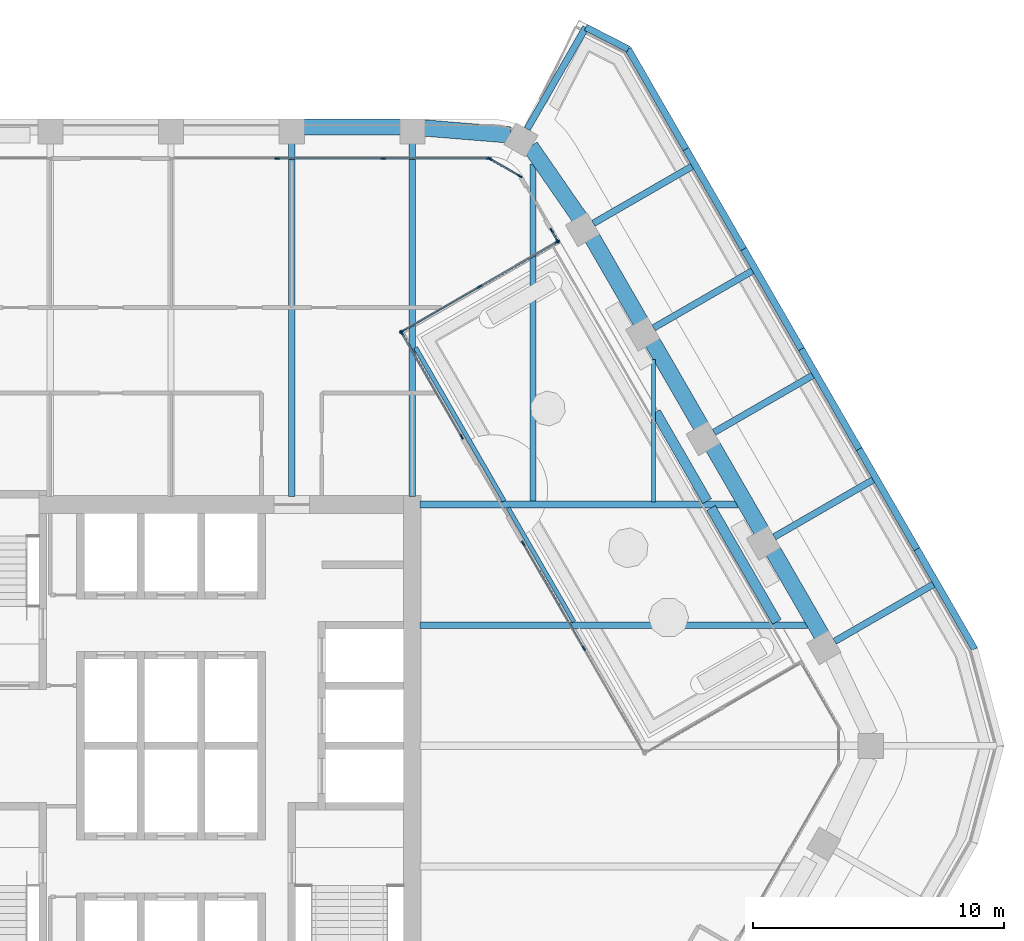
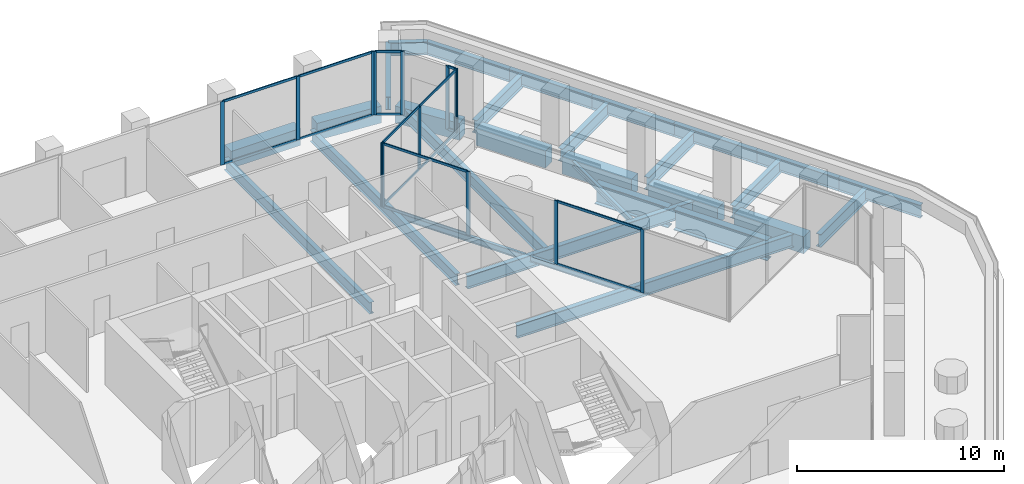
# One storey, part 7 of 17: 30 beams, 30 members, 6 elements without a shape of their own.
"""IFC4 building model written with IfcOpenShell, lengths in metres."""

from ifc_helpers import new_model, si_unit, direction, frame, origin, origin_2d, place, context, subcontext, project, spatial, rectangle, i_section, extrude, material, material_profile, profile_set, type_object, element, aggregate, save


model = new_model("IFC4")

# Units and contexts
model_context = context("Model", 3, precision=1e-05, world=origin(), true_north=direction((0.0, 1.0)))
body_context = subcontext(model_context, "Body", "Model", "MODEL_VIEW")
ifc_project = project(units=[si_unit("LENGTHUNIT", "METRE"), si_unit("AREAUNIT", "SQUARE_METRE"), si_unit("VOLUMEUNIT", "CUBIC_METRE"), si_unit("PLANEANGLEUNIT", "RADIAN"), si_unit("MASSUNIT", "GRAM", prefix="KILO")], contexts=[model_context])

# Site, building, storey
site_placement = place(None, origin())
site = spatial("IfcSite", under=ifc_project, at=site_placement, CompositionType="ELEMENT")
building_placement = place(site_placement, origin())
building = spatial("IfcBuilding", under=site, at=building_placement, Name="Kolab Exchange Tower", CompositionType="ELEMENT")
storey_placement = place(building_placement, frame((0.0, 0.0, 181.699951171875)))
storey = spatial("IfcBuildingStorey", under=building, at=storey_placement, Name="L38", CompositionType="ELEMENT", Elevation=181.699951171875)

# Beams
ifc_material_1 = material(Name="Steel S355", Category="steel")
ifc_material_profile_1 = material_profile(ifc_material_1, i_section(OverallWidth=0.39990234375, OverallDepth=1.199951171875, WebThickness=0.02490234375, FlangeThickness=0.0400390625, at=origin_2d()), Name="PG1200X400")
ifc_profile_set_1 = profile_set([ifc_material_profile_1], Name="Steel S355")
beam_type_1 = type_object("IfcBeamType", Name="FLOOR BEAM PG1200X400", PredefinedType="BEAM", material=ifc_profile_set_1)
beam_1_placement = place(storey_placement, frame((19.282470703125, 13.27490234375, -0.75), z_axis=(0.499998074415, -0.866026515518, 0.0), x_axis=(0.866026515518, 0.499998074415, 0.0)))
element("IfcBeam", 1, at=beam_1_placement, inside=storey, type_object=beam_type_1, Name="beam/L38/fr/027", PredefinedType="BEAM", context=body_context, shape_type="SweptSolid", body=[
    extrude(i_section(OverallWidth=0.39990234375, OverallDepth=1.199951171875, WebThickness=0.02490234375, FlangeThickness=0.0400390625, at=origin_2d()), origin(), (0.0, 0.0, 1.0), 4.08935546875),
])
beam_2_placement = place(storey_placement, frame((21.481201171875, 9.466552734375, -0.75), z_axis=(0.500011808253, -0.866018586179, 0.0), x_axis=(0.866018586179, 0.500011808253, 0.0)))
element("IfcBeam", 2, at=beam_2_placement, inside=storey, type_object=beam_type_1, Name="beam/L38/fr/028", PredefinedType="BEAM", context=body_context, shape_type="SweptSolid", body=[
    extrude(i_section(OverallWidth=0.39990234375, OverallDepth=1.199951171875, WebThickness=0.02490234375, FlangeThickness=0.0400390625, at=origin_2d()), origin(), (0.0, 0.0, 1.0), 5.234130859375),
])
ifc_material_profile_2 = material_profile(ifc_material_1, i_section(OverallWidth=0.1650390625, OverallDepth=0.31005859375, WebThickness=0.005859375, FlangeThickness=0.009765625, at=origin_2d()), Name="W310X39")
ifc_profile_set_2 = profile_set([ifc_material_profile_2], Name="Steel S355")
beam_type_2 = type_object("IfcBeamType", Name="FLOOR BEAM W310X39", PredefinedType="BEAM", material=ifc_profile_set_2)
beam_3_placement = place(storey_placement, frame((13.409912109375, 9.466552734375, -0.304931640625), z_axis=(0.500011808253, -0.866018586179, 0.0), x_axis=(0.866018586179, 0.500011808253, 0.0)))
element("IfcBeam", 3, at=beam_3_placement, inside=storey, type_object=beam_type_2, Name="beam/L38/fr/021", PredefinedType="BEAM", context=body_context, shape_type="SweptSolid", body=[
    extrude(i_section(OverallWidth=0.1650390625, OverallDepth=0.31005859375, WebThickness=0.005859375, FlangeThickness=0.009765625, at=origin_2d()), origin(), (0.0, 0.0, 1.0), 5.234130859375),
])
beam_4_placement = place(storey_placement, frame((19.199951171875, 9.693603515625, -0.304931640625), z_axis=(0.0, 1.0, 0.0), x_axis=(-1.0, 0.0, 0.0)))
element("IfcBeam", 4, at=beam_4_placement, inside=storey, type_object=beam_type_2, Name="beam/L38/fr/026", PredefinedType="BEAM", context=body_context, shape_type="SweptSolid", body=[
    extrude(i_section(OverallWidth=0.1650390625, OverallDepth=0.31005859375, WebThickness=0.005859375, FlangeThickness=0.009765625, at=origin_2d()), origin(), (0.0, 0.0, 1.0), 5.674072265625),
])
ifc_material_profile_3 = material_profile(ifc_material_1, i_section(OverallWidth=0.1708984375, OverallDepth=0.35498046875, WebThickness=0.007080078125, FlangeThickness=0.01171875, at=origin_2d()), Name="W360X51")
ifc_profile_set_3 = profile_set([ifc_material_profile_3], Name="Steel S355")
beam_type_3 = type_object("IfcBeamType", Name="FLOOR BEAM W360X51", PredefinedType="BEAM", material=ifc_profile_set_3)
beam_5_placement = place(storey_placement, frame((9.72705078125, 15.845458984375, -0.327392578125), z_axis=(0.499974989216, -0.866039843286, 0.0), x_axis=(0.866039843286, 0.499974989216, 0.0)))
element("IfcBeam", 5, at=beam_5_placement, inside=storey, type_object=beam_type_3, Name="beam/L38/fr/017", PredefinedType="BEAM", context=body_context, shape_type="SweptSolid", body=[
    extrude(i_section(OverallWidth=0.1708984375, OverallDepth=0.35498046875, WebThickness=0.007080078125, FlangeThickness=0.01171875, at=origin_2d()), origin(), (0.0, 0.0, 1.0), 7.057373046875),
])
ifc_material_profile_4 = material_profile(ifc_material_1, i_section(OverallWidth=0.25390625, OverallDepth=0.68408203125, WebThickness=0.012451171875, FlangeThickness=0.018798828125, at=origin_2d()), Name="W690X140")
ifc_profile_set_4 = profile_set([ifc_material_profile_4], Name="Steel S355")
beam_type_4 = type_object("IfcBeamType", Name="FLOOR BEAM W690X140", PredefinedType="BEAM", material=ifc_profile_set_4)
for number, where, z_axis, x_axis, name in (
    (6, (4.800048828125, 9.909912109375, -0.491943359375), (0.0, 1.0, 0.0), (-1.0, 0.0, 0.0), "beam/L38/fr/014"),
    (7, (9.60009765625, 9.909912109375, -0.491943359375), (0.0, 1.0, 0.0), (-1.0, 0.0, 0.0), "beam/L38/fr/016"),
):
    element("IfcBeam", number, at=place(storey_placement, frame(where, z_axis=z_axis, x_axis=x_axis)), inside=storey, type_object=beam_type_4, Name=name, PredefinedType="BEAM", context=body_context, shape_type="SweptSolid", body=[
        extrude(i_section(OverallWidth=0.25390625, OverallDepth=0.68408203125, WebThickness=0.012451171875, FlangeThickness=0.018798828125, at=origin_2d()), origin(), (0.0, 0.0, 1.0), 14.071533203125),
    ])
beam_6_placement = place(storey_placement, frame((14.39990234375, 9.693603515625, -0.491943359375), z_axis=(0.0, 1.0, 0.0), x_axis=(-1.0, 0.0, 0.0)))
element("IfcBeam", 8, at=beam_6_placement, inside=storey, type_object=beam_type_4, Name="beam/L38/fr/023", PredefinedType="BEAM", context=body_context, shape_type="SweptSolid", body=[
    extrude(i_section(OverallWidth=0.25390625, OverallDepth=0.68408203125, WebThickness=0.012451171875, FlangeThickness=0.018798828125, at=origin_2d()), origin(), (0.0, 0.0, 1.0), 13.462158203125),
])
ifc_material_profile_5 = material_profile(ifc_material_1, i_section(OverallWidth=0.26708984375, OverallDepth=0.761962890625, WebThickness=0.014404296875, FlangeThickness=0.021484375, at=origin_2d()), Name="W760X173")
ifc_profile_set_5 = profile_set([ifc_material_profile_5], Name="Steel S355")
beam_type_5 = type_object("IfcBeamType", Name="FLOOR BEAM W760X173", PredefinedType="BEAM", material=ifc_profile_set_5)
beam_7_placement = place(storey_placement, frame((9.909912109375, 4.800048828125, -0.531005859375), z_axis=(1.0, 0.0, 0.0), x_axis=(0.0, 1.0, 0.0)))
element("IfcBeam", 9, at=beam_7_placement, inside=storey, type_object=beam_type_5, Name="beam/L38/fr/020", PredefinedType="BEAM", context=body_context, shape_type="SweptSolid", body=[
    extrude(i_section(OverallWidth=0.26708984375, OverallDepth=0.761962890625, WebThickness=0.014404296875, FlangeThickness=0.021484375, at=origin_2d()), origin(), (0.0, 0.0, 1.0), 15.408203125),
])
ifc_material_profile_6 = material_profile(ifc_material_1, i_section(OverallWidth=0.26708984375, OverallDepth=0.761962890625, WebThickness=0.014404296875, FlangeThickness=0.021484375, at=origin_2d()), Name="W760X173")
ifc_profile_set_6 = profile_set([ifc_material_profile_6], Name="Steel S355")
beam_type_6 = type_object("IfcBeamType", Name="FLOOR GIRDER W760X173", PredefinedType="BEAM", material=ifc_profile_set_6)
beam_8_placement = place(storey_placement, frame((9.909912109375, 9.60009765625, -0.531005859375), z_axis=(1.0, 0.0, 0.0), x_axis=(0.0, 1.0, 0.0)))
element("IfcBeam", 10, at=beam_8_placement, inside=storey, type_object=beam_type_6, Name="beam/L38/gd/003", PredefinedType="BEAM", context=body_context, shape_type="SweptSolid", body=[
    extrude(i_section(OverallWidth=0.26708984375, OverallDepth=0.761962890625, WebThickness=0.014404296875, FlangeThickness=0.021484375, at=origin_2d()), origin(), (0.0, 0.0, 1.0), 12.636962890625),
])
beam_9_placement = place(storey_placement, frame((14.16796875, 24.53955078125, -0.591064453125), z_axis=(0.500004747635, 0.866022662719, 0.0), x_axis=(-0.866022662719, 0.500004747635, 0.0)))
element("IfcBeam", 11, at=beam_9_placement, inside=storey, type_object=beam_type_6, Name="beam/L38/ledge/rib-00", PredefinedType="BEAM", context=body_context, shape_type="SweptSolid", body=[
    extrude(i_section(OverallWidth=0.26708984375, OverallDepth=0.761962890625, WebThickness=0.014404296875, FlangeThickness=0.021484375, at=origin_2d()), origin(), (0.0, 0.0, 1.0), 4.66650390625),
])
beam_10_placement = place(storey_placement, frame((16.800048828125, 20.78466796875, -0.591064453125), z_axis=(0.866030417568, 0.499991315771, 0.0), x_axis=(-0.499991315771, 0.866030417568, 0.0)))
element("IfcBeam", 12, at=beam_10_placement, inside=storey, type_object=beam_type_6, Name="beam/L38/ledge/rib-01", PredefinedType="BEAM", context=body_context, shape_type="SweptSolid", body=[
    extrude(i_section(OverallWidth=0.26708984375, OverallDepth=0.761962890625, WebThickness=0.014404296875, FlangeThickness=0.021484375, at=origin_2d()), origin(), (0.0, 0.0, 1.0), 4.53271484375),
])
beam_11_placement = place(storey_placement, frame((19.199951171875, 16.627685546875, -0.591064453125), z_axis=(0.866020560687, 0.500008388397, 0.0), x_axis=(-0.500008388397, 0.866020560687, 0.0)))
element("IfcBeam", 13, at=beam_11_placement, inside=storey, type_object=beam_type_6, Name="beam/L38/ledge/rib-02", PredefinedType="BEAM", context=body_context, shape_type="SweptSolid", body=[
    extrude(i_section(OverallWidth=0.26708984375, OverallDepth=0.761962890625, WebThickness=0.014404296875, FlangeThickness=0.021484375, at=origin_2d()), origin(), (0.0, 0.0, 1.0), 4.533203125),
])
beam_12_placement = place(storey_placement, frame((21.60009765625, 12.470703125, -0.591064453125), z_axis=(0.866007095043, 0.500031710329, 0.0), x_axis=(-0.500031710329, 0.866007095043, 0.0)))
element("IfcBeam", 14, at=beam_12_placement, inside=storey, type_object=beam_type_6, Name="beam/L38/ledge/rib-03", PredefinedType="BEAM", context=body_context, shape_type="SweptSolid", body=[
    extrude(i_section(OverallWidth=0.26708984375, OverallDepth=0.761962890625, WebThickness=0.014404296875, FlangeThickness=0.021484375, at=origin_2d()), origin(), (0.0, 0.0, 1.0), 4.532958984375),
])
beam_13_placement = place(storey_placement, frame((24.0, 8.313720703125, -0.591064453125), z_axis=(0.866020560687, 0.500008388397, 0.0), x_axis=(-0.500008388397, 0.866020560687, 0.0)))
element("IfcBeam", 15, at=beam_13_placement, inside=storey, type_object=beam_type_6, Name="beam/L38/ledge/rib-04", PredefinedType="BEAM", context=body_context, shape_type="SweptSolid", body=[
    extrude(i_section(OverallWidth=0.26708984375, OverallDepth=0.761962890625, WebThickness=0.014404296875, FlangeThickness=0.021484375, at=origin_2d()), origin(), (0.0, 0.0, 1.0), 4.533203125),
])
beam_14_placement = place(storey_placement, frame((26.39990234375, 4.156982421875, -0.591064453125), z_axis=(0.866043881399, 0.499967994467, 0.0), x_axis=(-0.499967994467, 0.866043881399, 0.0)))
element("IfcBeam", 16, at=beam_14_placement, inside=storey, type_object=beam_type_6, Name="beam/L38/ledge/rib-05", PredefinedType="BEAM", context=body_context, shape_type="SweptSolid", body=[
    extrude(i_section(OverallWidth=0.26708984375, OverallDepth=0.761962890625, WebThickness=0.014404296875, FlangeThickness=0.021484375, at=origin_2d()), origin(), (0.0, 0.0, 1.0), 4.532958984375),
])
beam_15_placement = place(storey_placement, frame((16.501220703125, 28.5810546875, -0.591064453125), z_axis=(0.889971862799, -0.456015442092, 0.0), x_axis=(0.456015442092, 0.889971862799, 0.0)))
element("IfcBeam", 17, at=beam_15_placement, inside=storey, type_object=beam_type_6, Name="beam/L38/ledge/edge-00", PredefinedType="BEAM", context=body_context, shape_type="SweptSolid", body=[
    extrude(i_section(OverallWidth=0.26708984375, OverallDepth=0.761962890625, WebThickness=0.014404296875, FlangeThickness=0.021484375, at=origin_2d()), origin(), (0.0, 0.0, 1.0), 1.892578125),
])
beam_16_placement = place(storey_placement, frame((18.185546875, 27.718017578125, -0.591064453125), z_axis=(0.500003083703, -0.8660236234, 0.0), x_axis=(0.8660236234, 0.500003083703, 0.0)))
element("IfcBeam", 18, at=beam_16_placement, inside=storey, type_object=beam_type_6, Name="beam/L38/ledge/edge-01", PredefinedType="BEAM", context=body_context, shape_type="SweptSolid", body=[
    extrude(i_section(OverallWidth=0.26708984375, OverallDepth=0.761962890625, WebThickness=0.014404296875, FlangeThickness=0.021484375, at=origin_2d()), origin(), (0.0, 0.0, 1.0), 4.59375),
])
beam_17_placement = place(storey_placement, frame((20.482421875, 23.73974609375, -0.591064453125), z_axis=(0.499963222339, -0.866046636336, 0.0), x_axis=(0.866046636336, 0.499963222339, 0.0)))
element("IfcBeam", 19, at=beam_17_placement, inside=storey, type_object=beam_type_6, Name="beam/L38/ledge/edge-02", PredefinedType="BEAM", context=body_context, shape_type="SweptSolid", body=[
    extrude(i_section(OverallWidth=0.26708984375, OverallDepth=0.761962890625, WebThickness=0.014404296875, FlangeThickness=0.021484375, at=origin_2d()), origin(), (0.0, 0.0, 1.0), 4.593505859375),
])
for number, where, z_axis, x_axis, name in (
    (20, (22.779052734375, 19.761474609375, -0.591064453125), (0.500003083703, -0.8660236234, 0.0), (0.8660236234, 0.500003083703, 0.0), "beam/L38/ledge/edge-03"),
    (21, (25.075927734375, 15.783203125, -0.591064453125), (0.500003083703, -0.8660236234, 0.0), (0.8660236234, 0.500003083703, 0.0), "beam/L38/ledge/edge-04"),
    (22, (27.372802734375, 11.804931640625, -0.591064453125), (0.500003083703, -0.8660236234, 0.0), (0.8660236234, 0.500003083703, 0.0), "beam/L38/ledge/edge-05"),
    (23, (29.669677734375, 7.82666015625, -0.591064453125), (0.500003083703, -0.8660236234, 0.0), (0.8660236234, 0.500003083703, 0.0), "beam/L38/ledge/edge-06"),
):
    element("IfcBeam", number, at=place(storey_placement, frame(where, z_axis=z_axis, x_axis=x_axis)), inside=storey, type_object=beam_type_6, Name=name, PredefinedType="BEAM", context=body_context, shape_type="SweptSolid", body=[
        extrude(i_section(OverallWidth=0.26708984375, OverallDepth=0.761962890625, WebThickness=0.014404296875, FlangeThickness=0.021484375, at=origin_2d()), origin(), (0.0, 0.0, 1.0), 4.59375),
    ])
ifc_material_2 = material(Name="Concrete C60/75", Category="concrete")
ifc_material_profile_7 = material_profile(ifc_material_2, rectangle(XDim=0.64990234375, YDim=1.0, at=origin_2d()), Name="RC650X1000")
ifc_profile_set_7 = profile_set([ifc_material_profile_7], Name="Concrete C60/75")
beam_type_7 = type_object("IfcBeamType", Name="SPANDREL BEAM 650X1000 C60/75", PredefinedType="BEAM", material=ifc_profile_set_7)
beam_18_placement = place(storey_placement, frame((5.260009765625, 24.616455078125, -0.64990234375), z_axis=(1.0, 0.0, 0.0), x_axis=(0.0, 1.0, 0.0)))
element("IfcBeam", 24, at=beam_18_placement, inside=storey, type_object=beam_type_7, Name="beam/L38/sp/F1-05", PredefinedType="BEAM", context=body_context, shape_type="SweptSolid", body=[
    extrude(rectangle(XDim=0.64990234375, YDim=1.0, at=origin_2d()), origin(), (0.0, 0.0, 1.0), 3.8798828125),
])
for number, where, z_axis, x_axis, name in (
    (25, (10.06005859375, 24.5791015625, -0.64990234375), (0.996708497182, -0.081068931445, 0.0), (0.081068931445, 0.996708497182, 0.0), "beam/L38/sp/F1-06"),
    (26, (14.29736328125, 23.8359375, -0.64990234375), (0.568572281073, -0.822633309073, 0.0), (0.822633309073, 0.568572281073, 0.0), "beam/L38/sp/F2-01"),
):
    element("IfcBeam", number, at=place(storey_placement, frame(where, z_axis=z_axis, x_axis=x_axis)), inside=storey, type_object=beam_type_7, Name=name, PredefinedType="BEAM", context=body_context, shape_type="SweptSolid", body=[
        extrude(rectangle(XDim=0.64990234375, YDim=1.0, at=origin_2d()), origin(), (0.0, 0.0, 1.0), 3.445068359375),
    ])
beam_19_placement = place(storey_placement, frame((16.74853515625, 20.2236328125, -0.64990234375), z_axis=(0.499996613652, -0.866027358884, 0.0), x_axis=(0.866027358884, 0.499996613652, 0.0)))
element("IfcBeam", 27, at=beam_19_placement, inside=storey, type_object=beam_type_7, Name="beam/L38/sp/F2-02", PredefinedType="BEAM", context=body_context, shape_type="SweptSolid", body=[
    extrude(rectangle(XDim=0.64990234375, YDim=1.0, at=origin_2d()), origin(), (0.0, 0.0, 1.0), 3.8798828125),
])
beam_20_placement = place(storey_placement, frame((19.1484375, 16.06689453125, -0.64990234375), z_axis=(0.50001655835, -0.866015843605, 0.0), x_axis=(0.866015843605, 0.50001655835, 0.0)))
element("IfcBeam", 28, at=beam_20_placement, inside=storey, type_object=beam_type_7, Name="beam/L38/sp/F2-03", PredefinedType="BEAM", context=body_context, shape_type="SweptSolid", body=[
    extrude(rectangle(XDim=0.64990234375, YDim=1.0, at=origin_2d()), origin(), (0.0, 0.0, 1.0), 3.880126953125),
])
for number, where, z_axis, x_axis, name in (
    (29, (21.548583984375, 11.909912109375, -0.64990234375), (0.499996613652, -0.866027358884, 0.0), (0.866027358884, 0.499996613652, 0.0), "beam/L38/sp/F2-04"),
    (30, (23.948486328125, 7.7529296875, -0.64990234375), (0.499996613652, -0.866027358884, 0.0), (0.866027358884, 0.499996613652, 0.0), "beam/L38/sp/F2-05"),
):
    element("IfcBeam", number, at=place(storey_placement, frame(where, z_axis=z_axis, x_axis=x_axis)), inside=storey, type_object=beam_type_7, Name=name, PredefinedType="BEAM", context=body_context, shape_type="SweptSolid", body=[
        extrude(rectangle(XDim=0.64990234375, YDim=1.0, at=origin_2d()), origin(), (0.0, 0.0, 1.0), 3.8798828125),
    ])

# Curtain wall, members
ifc_material_3 = material(Name="Aluminium EN AW-6063 T6", Category="aluminium")
curtain_wall_type = type_object("IfcCurtainWallType", Name="UNITISED UPPER MID ZONE CURTAIN WALL", PredefinedType="NOTDEFINED", material=ifc_material_3)
curtain_wall_1_placement = place(storey_placement, origin())
curtain_wall_1 = element("IfcCurtainWall", 31, at=curtain_wall_1_placement, inside=storey, type_object=curtain_wall_type, Name="cw/L38/F1-2", PredefinedType="NOTDEFINED")
ifc_material_profile_8 = material_profile(ifc_material_3, rectangle(XDim=0.06005859375, YDim=0.199951171875, at=origin_2d()), Name="RECT 60X200")
ifc_profile_set_8 = profile_set([ifc_material_profile_8], Name="Aluminium EN AW-6063 T6")
member_type_1 = type_object("IfcMemberType", Name="UNITISED UPPER MID ZONE MULLION 60 X 200", PredefinedType="MULLION", material=ifc_profile_set_8)
member_1_placement = place(storey_placement, frame((4.22265625, 23.361572265625, 0.0), z_axis=(0.0, 0.0, 1.0), x_axis=(0.0, 1.0, 0.0)))
member_1 = element("IfcMember", 32, at=member_1_placement, type_object=member_type_1, Name="CW3 mullion 2", PredefinedType="MULLION", context=body_context, shape_type="SweptSolid", body=[
    extrude(rectangle(XDim=0.06005859375, YDim=0.199951171875, at=origin_2d()), origin(), (0.0, 0.0, 1.0), 3.75),
])
member_2_placement = place(storey_placement, frame((8.4453125, 23.361572265625, 0.0), z_axis=(0.0, 0.0, 1.0), x_axis=(0.0, 1.0, 0.0)))
member_2 = element("IfcMember", 33, at=member_2_placement, type_object=member_type_1, Name="CW3 mullion 3", PredefinedType="MULLION", context=body_context, shape_type="SweptSolid", body=[
    extrude(rectangle(XDim=0.06005859375, YDim=0.199951171875, at=origin_2d()), origin(), (0.0, 0.0, 1.0), 3.75),
])
member_3_placement = place(storey_placement, frame((12.637939453125, 23.361572265625, 0.0), z_axis=(0.0, 0.0, 1.0), x_axis=(0.0, 1.0, 0.0)))
member_3 = element("IfcMember", 34, at=member_3_placement, type_object=member_type_1, Name="CW3 mullion 4", PredefinedType="MULLION", context=body_context, shape_type="SweptSolid", body=[
    extrude(rectangle(XDim=0.06005859375, YDim=0.199951171875, at=origin_2d()), origin(), (0.0, 0.0, 1.0), 3.75),
])

curtain_wall_2_placement = place(storey_placement, origin())
curtain_wall_2 = element("IfcCurtainWall", 35, at=curtain_wall_2_placement, inside=storey, type_object=curtain_wall_type, Name="cw/L38/F2-l-1", PredefinedType="NOTDEFINED")
member_4_placement = place(storey_placement, frame((15.142822265625, 20.4951171875, 0.0), z_axis=(0.0, 0.0, 1.0), x_axis=(0.866025350788, 0.500000091793, 0.0)))
member_4 = element("IfcMember", 36, at=member_4_placement, type_object=member_type_1, Name="CW3 mullion 1", PredefinedType="MULLION", context=body_context, shape_type="SweptSolid", body=[
    extrude(rectangle(XDim=0.06005859375, YDim=0.199951171875, at=origin_2d()), origin(), (0.0, 0.0, 1.0), 3.75),
])
member_5_placement = place(storey_placement, frame((15.376708984375, 20.08984375, 0.0), z_axis=(0.0, 0.0, 1.0), x_axis=(0.866025350788, 0.500000091793, 0.0)))
member_5 = element("IfcMember", 37, at=member_5_placement, type_object=member_type_1, Name="CW3 mullion 2", PredefinedType="MULLION", context=body_context, shape_type="SweptSolid", body=[
    extrude(rectangle(XDim=0.06005859375, YDim=0.199951171875, at=origin_2d()), origin(), (0.0, 0.0, 1.0), 3.75),
])

curtain_wall_3_placement = place(storey_placement, origin())
curtain_wall_3 = element("IfcCurtainWall", 38, at=curtain_wall_3_placement, inside=storey, type_object=curtain_wall_type, Name="cw/L38/F2-rl-1", PredefinedType="NOTDEFINED")
member_6_placement = place(storey_placement, frame((15.36572265625, 20.048828125, 0.0), z_axis=(0.0, 0.0, 1.0), x_axis=(0.499999994423, -0.866025407005, 0.0)))
member_6 = element("IfcMember", 39, at=member_6_placement, type_object=member_type_1, Name="CW3 mullion 1", PredefinedType="MULLION", context=body_context, shape_type="SweptSolid", body=[
    extrude(rectangle(XDim=0.06005859375, YDim=0.199951171875, at=origin_2d()), origin(), (0.0, 0.0, 1.0), 3.75),
])
member_7_placement = place(storey_placement, frame((12.27392578125, 18.263916015625, 0.0), z_axis=(0.0, 0.0, 1.0), x_axis=(0.499999994423, -0.866025407005, 0.0)))
member_7 = element("IfcMember", 40, at=member_7_placement, type_object=member_type_1, Name="CW3 mullion 2", PredefinedType="MULLION", context=body_context, shape_type="SweptSolid", body=[
    extrude(rectangle(XDim=0.06005859375, YDim=0.199951171875, at=origin_2d()), origin(), (0.0, 0.0, 1.0), 3.75),
])
member_8_placement = place(storey_placement, frame((9.182373046875, 16.47900390625, 0.0), z_axis=(0.0, 0.0, 1.0), x_axis=(0.499999994423, -0.866025407005, 0.0)))
member_8 = element("IfcMember", 41, at=member_8_placement, type_object=member_type_1, Name="CW3 mullion 3", PredefinedType="MULLION", context=body_context, shape_type="SweptSolid", body=[
    extrude(rectangle(XDim=0.06005859375, YDim=0.199951171875, at=origin_2d()), origin(), (0.0, 0.0, 1.0), 3.75),
])

curtain_wall_4_placement = place(storey_placement, origin())
curtain_wall_4 = element("IfcCurtainWall", 42, at=curtain_wall_4_placement, inside=storey, type_object=curtain_wall_type, Name="cw/L38/F2-back-1", PredefinedType="NOTDEFINED")
member_9_placement = place(storey_placement, frame((9.17138671875, 16.43798828125, 0.0), z_axis=(0.0, 0.0, 1.0), x_axis=(0.866025406141, 0.499999995919, 0.0)))
member_9 = element("IfcMember", 43, at=member_9_placement, type_object=member_type_1, Name="CW3 mullion 1", PredefinedType="MULLION", context=body_context, shape_type="SweptSolid", body=[
    extrude(rectangle(XDim=0.06005859375, YDim=0.199951171875, at=origin_2d()), origin(), (0.0, 0.0, 1.0), 3.75),
])
member_10_placement = place(storey_placement, frame((11.561279296875, 12.29833984375, 0.0), z_axis=(0.0, 0.0, 1.0), x_axis=(0.866025406141, 0.499999995919, 0.0)))
member_10 = element("IfcMember", 44, at=member_10_placement, type_object=member_type_1, Name="CW3 mullion 2", PredefinedType="MULLION", context=body_context, shape_type="SweptSolid", body=[
    extrude(rectangle(XDim=0.06005859375, YDim=0.199951171875, at=origin_2d()), origin(), (0.0, 0.0, 1.0), 3.75),
])

curtain_wall_5_placement = place(storey_placement, origin())
curtain_wall_5 = element("IfcCurtainWall", 45, at=curtain_wall_5_placement, inside=storey, type_object=curtain_wall_type, Name="cw/L38/F2-back-2", PredefinedType="NOTDEFINED")
member_11_placement = place(storey_placement, frame((14.01123046875, 8.0546875, 0.0), z_axis=(0.0, 0.0, 1.0), x_axis=(0.866025406141, 0.499999995919, 0.0)))
member_11 = element("IfcMember", 46, at=member_11_placement, type_object=member_type_1, Name="CW3 mullion 1", PredefinedType="MULLION", context=body_context, shape_type="SweptSolid", body=[
    extrude(rectangle(XDim=0.06005859375, YDim=0.199951171875, at=origin_2d()), origin(), (0.0, 0.0, 1.0), 3.75),
])
member_12_placement = place(storey_placement, frame((16.416259765625, 3.88916015625, 0.0), z_axis=(0.0, 0.0, 1.0), x_axis=(0.866025406141, 0.499999995919, 0.0)))
member_12 = element("IfcMember", 47, at=member_12_placement, type_object=member_type_1, Name="CW3 mullion 2", PredefinedType="MULLION", context=body_context, shape_type="SweptSolid", body=[
    extrude(rectangle(XDim=0.06005859375, YDim=0.199951171875, at=origin_2d()), origin(), (0.0, 0.0, 1.0), 3.75),
])

curtain_wall_6_placement = place(storey_placement, origin())
curtain_wall_6 = element("IfcCurtainWall", 48, at=curtain_wall_6_placement, inside=storey, type_object=curtain_wall_type, Name="cw/L38/F1F2-corner", PredefinedType="NOTDEFINED")
member_13_placement = place(storey_placement, frame((12.69384765625, 23.346435546875, 0.0), z_axis=(0.0, 0.0, 1.0), x_axis=(0.50000002237, 0.866025390869, 0.0)))
member_13 = element("IfcMember", 49, at=member_13_placement, type_object=member_type_1, Name="CW3 mullion 1", PredefinedType="MULLION", context=body_context, shape_type="SweptSolid", body=[
    extrude(rectangle(XDim=0.06005859375, YDim=0.199951171875, at=origin_2d()), origin(), (0.0, 0.0, 1.0), 3.75),
])
member_14_placement = place(storey_placement, frame((13.871826171875, 22.66650390625, 0.0), z_axis=(0.0, 0.0, 1.0), x_axis=(0.50000002237, 0.866025390869, 0.0)))
member_14 = element("IfcMember", 50, at=member_14_placement, type_object=member_type_1, Name="CW3 mullion 2", PredefinedType="MULLION", context=body_context, shape_type="SweptSolid", body=[
    extrude(rectangle(XDim=0.06005859375, YDim=0.199951171875, at=origin_2d()), origin(), (0.0, 0.0, 1.0), 3.75),
])

# Member
ifc_material_profile_9 = material_profile(ifc_material_3, rectangle(XDim=0.06005859375, YDim=0.139892578125, at=origin_2d()), Name="RECT 60X140")
ifc_profile_set_9 = profile_set([ifc_material_profile_9], Name="Aluminium EN AW-6063 T6")
member_type_2 = type_object("IfcMemberType", Name="UNITISED UPPER MID ZONE TRANSOM 60 X 140", PredefinedType="USERDEFINED", material=ifc_profile_set_9)
member_15_placement = place(storey_placement, frame((4.252685546875, 23.361572265625, 0.030029296875), z_axis=(1.0, 0.0, 0.0), x_axis=(0.0, 1.0, 0.0)))
member_15 = element("IfcMember", 51, at=member_15_placement, type_object=member_type_2, Name="CW3 transom 2.1", ObjectType="TRANSOM", PredefinedType="USERDEFINED", context=body_context, shape_type="SweptSolid", body=[
    extrude(rectangle(XDim=0.06005859375, YDim=0.139892578125, at=origin_2d()), origin(), (0.0, 0.0, 1.0), 4.16259765625),
])

member_16_placement = place(storey_placement, frame((4.252685546875, 23.361572265625, 3.719970703125), z_axis=(1.0, 0.0, 0.0), x_axis=(0.0, 1.0, 0.0)))
member_16 = element("IfcMember", 52, at=member_16_placement, type_object=member_type_2, Name="CW3 transom 2.2", ObjectType="TRANSOM", PredefinedType="USERDEFINED", context=body_context, shape_type="SweptSolid", body=[
    extrude(rectangle(XDim=0.06005859375, YDim=0.139892578125, at=origin_2d()), origin(), (0.0, 0.0, 1.0), 4.16259765625),
])

member_17_placement = place(storey_placement, frame((8.475341796875, 23.361572265625, 0.030029296875), z_axis=(1.0, 0.0, 0.0), x_axis=(0.0, 1.0, 0.0)))
member_17 = element("IfcMember", 53, at=member_17_placement, type_object=member_type_2, Name="CW3 transom 3.1", ObjectType="TRANSOM", PredefinedType="USERDEFINED", context=body_context, shape_type="SweptSolid", body=[
    extrude(rectangle(XDim=0.06005859375, YDim=0.139892578125, at=origin_2d()), origin(), (0.0, 0.0, 1.0), 4.132568359375),
])

member_18_placement = place(storey_placement, frame((8.475341796875, 23.361572265625, 3.719970703125), z_axis=(1.0, 0.0, 0.0), x_axis=(0.0, 1.0, 0.0)))
member_18 = element("IfcMember", 54, at=member_18_placement, type_object=member_type_2, Name="CW3 transom 3.2", ObjectType="TRANSOM", PredefinedType="USERDEFINED", context=body_context, shape_type="SweptSolid", body=[
    extrude(rectangle(XDim=0.06005859375, YDim=0.139892578125, at=origin_2d()), origin(), (0.0, 0.0, 1.0), 4.132568359375),
])

aggregate(curtain_wall_1, [member_1, member_2, member_3, member_15, member_16, member_17, member_18])

member_19_placement = place(storey_placement, frame((15.15771484375, 20.46923828125, 0.030029296875), z_axis=(0.499808815652, -0.866135755986, 0.0), x_axis=(0.866135755986, 0.499808815652, 0.0)))
member_19 = element("IfcMember", 55, at=member_19_placement, type_object=member_type_2, Name="CW3 transom 1.1", ObjectType="TRANSOM", PredefinedType="USERDEFINED", context=body_context, shape_type="SweptSolid", body=[
    extrude(rectangle(XDim=0.06005859375, YDim=0.139892578125, at=origin_2d()), origin(), (0.0, 0.0, 1.0), 0.407958984375),
])

member_20_placement = place(storey_placement, frame((15.15771484375, 20.46923828125, 3.719970703125), z_axis=(0.499808815652, -0.866135755986, 0.0), x_axis=(0.866135755986, 0.499808815652, 0.0)))
member_20 = element("IfcMember", 56, at=member_20_placement, type_object=member_type_2, Name="CW3 transom 1.2", ObjectType="TRANSOM", PredefinedType="USERDEFINED", context=body_context, shape_type="SweptSolid", body=[
    extrude(rectangle(XDim=0.06005859375, YDim=0.139892578125, at=origin_2d()), origin(), (0.0, 0.0, 1.0), 0.407958984375),
])

aggregate(curtain_wall_2, [member_4, member_5, member_19, member_20])

member_21_placement = place(storey_placement, frame((15.339599609375, 20.033935546875, 0.030029296875), z_axis=(-0.86599560964, -0.500051601422, 0.0), x_axis=(0.500051601422, -0.86599560964, 0.0)))
member_21 = element("IfcMember", 57, at=member_21_placement, type_object=member_type_2, Name="CW3 transom 1.1", ObjectType="TRANSOM", PredefinedType="USERDEFINED", context=body_context, shape_type="SweptSolid", body=[
    extrude(rectangle(XDim=0.06005859375, YDim=0.139892578125, at=origin_2d()), origin(), (0.0, 0.0, 1.0), 3.510009765625),
])

member_22_placement = place(storey_placement, frame((15.339599609375, 20.033935546875, 3.719970703125), z_axis=(-0.86599560964, -0.500051601422, 0.0), x_axis=(0.500051601422, -0.86599560964, 0.0)))
member_22 = element("IfcMember", 58, at=member_22_placement, type_object=member_type_2, Name="CW3 transom 1.2", ObjectType="TRANSOM", PredefinedType="USERDEFINED", context=body_context, shape_type="SweptSolid", body=[
    extrude(rectangle(XDim=0.06005859375, YDim=0.139892578125, at=origin_2d()), origin(), (0.0, 0.0, 1.0), 3.510009765625),
])

member_23_placement = place(storey_placement, frame((12.248046875, 18.248779296875, 0.030029296875), z_axis=(-0.866043119098, -0.499969314921, 0.0), x_axis=(0.499969314921, -0.866043119098, 0.0)))
member_23 = element("IfcMember", 59, at=member_23_placement, type_object=member_type_2, Name="CW3 transom 2.1", ObjectType="TRANSOM", PredefinedType="USERDEFINED", context=body_context, shape_type="SweptSolid", body=[
    extrude(rectangle(XDim=0.06005859375, YDim=0.139892578125, at=origin_2d()), origin(), (0.0, 0.0, 1.0), 3.510009765625),
])

member_24_placement = place(storey_placement, frame((12.248046875, 18.248779296875, 3.719970703125), z_axis=(-0.866043119098, -0.499969314921, 0.0), x_axis=(0.499969314921, -0.866043119098, 0.0)))
member_24 = element("IfcMember", 60, at=member_24_placement, type_object=member_type_2, Name="CW3 transom 2.2", ObjectType="TRANSOM", PredefinedType="USERDEFINED", context=body_context, shape_type="SweptSolid", body=[
    extrude(rectangle(XDim=0.06005859375, YDim=0.139892578125, at=origin_2d()), origin(), (0.0, 0.0, 1.0), 3.510009765625),
])

aggregate(curtain_wall_3, [member_6, member_7, member_8, member_21, member_22, member_23, member_24])

member_25_placement = place(storey_placement, frame((9.186279296875, 16.411865234375, 0.030029296875), z_axis=(0.500016465344, -0.866015897305, 0.0), x_axis=(0.866015897305, 0.500016465344, 0.0)))
member_25 = element("IfcMember", 61, at=member_25_placement, type_object=member_type_2, Name="CW3 transom 1.1", ObjectType="TRANSOM", PredefinedType="USERDEFINED", context=body_context, shape_type="SweptSolid", body=[
    extrude(rectangle(XDim=0.06005859375, YDim=0.139892578125, at=origin_2d()), origin(), (0.0, 0.0, 1.0), 4.719970703125),
])

member_26_placement = place(storey_placement, frame((9.186279296875, 16.411865234375, 3.719970703125), z_axis=(0.500016465344, -0.866015897305, 0.0), x_axis=(0.866015897305, 0.500016465344, 0.0)))
member_26 = element("IfcMember", 62, at=member_26_placement, type_object=member_type_2, Name="CW3 transom 1.2", ObjectType="TRANSOM", PredefinedType="USERDEFINED", context=body_context, shape_type="SweptSolid", body=[
    extrude(rectangle(XDim=0.06005859375, YDim=0.139892578125, at=origin_2d()), origin(), (0.0, 0.0, 1.0), 4.719970703125),
])

aggregate(curtain_wall_4, [member_9, member_10, member_25, member_26])

member_27_placement = place(storey_placement, frame((14.0263671875, 8.02880859375, 0.030029296875), z_axis=(0.500008685663, -0.866020389056, 0.0), x_axis=(0.866020389056, 0.500008685663, 0.0)))
member_27 = element("IfcMember", 63, at=member_27_placement, type_object=member_type_2, Name="CW3 transom 1.1", ObjectType="TRANSOM", PredefinedType="USERDEFINED", context=body_context, shape_type="SweptSolid", body=[
    extrude(rectangle(XDim=0.06005859375, YDim=0.139892578125, at=origin_2d()), origin(), (0.0, 0.0, 1.0), 4.75),
])

member_28_placement = place(storey_placement, frame((14.0263671875, 8.02880859375, 3.719970703125), z_axis=(0.500008685663, -0.866020389056, 0.0), x_axis=(0.866020389056, 0.500008685663, 0.0)))
member_28 = element("IfcMember", 64, at=member_28_placement, type_object=member_type_2, Name="CW3 transom 1.2", ObjectType="TRANSOM", PredefinedType="USERDEFINED", context=body_context, shape_type="SweptSolid", body=[
    extrude(rectangle(XDim=0.06005859375, YDim=0.139892578125, at=origin_2d()), origin(), (0.0, 0.0, 1.0), 4.75),
])

aggregate(curtain_wall_5, [member_11, member_12, member_27, member_28])

member_29_placement = place(storey_placement, frame((12.719970703125, 23.33154296875, 0.030029296875), z_axis=(0.86603858612, -0.49997716683, 0.0), x_axis=(0.49997716683, 0.86603858612, 0.0)))
member_29 = element("IfcMember", 65, at=member_29_placement, type_object=member_type_2, Name="CW3 transom 1.1", ObjectType="TRANSOM", PredefinedType="USERDEFINED", context=body_context, shape_type="SweptSolid", body=[
    extrude(rectangle(XDim=0.06005859375, YDim=0.139892578125, at=origin_2d()), origin(), (0.0, 0.0, 1.0), 1.2998046875),
])

member_30_placement = place(storey_placement, frame((12.719970703125, 23.33154296875, 3.719970703125), z_axis=(0.86603858612, -0.49997716683, 0.0), x_axis=(0.49997716683, 0.86603858612, 0.0)))
member_30 = element("IfcMember", 66, at=member_30_placement, type_object=member_type_2, Name="CW3 transom 1.2", ObjectType="TRANSOM", PredefinedType="USERDEFINED", context=body_context, shape_type="SweptSolid", body=[
    extrude(rectangle(XDim=0.06005859375, YDim=0.139892578125, at=origin_2d()), origin(), (0.0, 0.0, 1.0), 1.2998046875),
])

aggregate(curtain_wall_6, [member_13, member_14, member_29, member_30])

save(model, "model.ifc")
